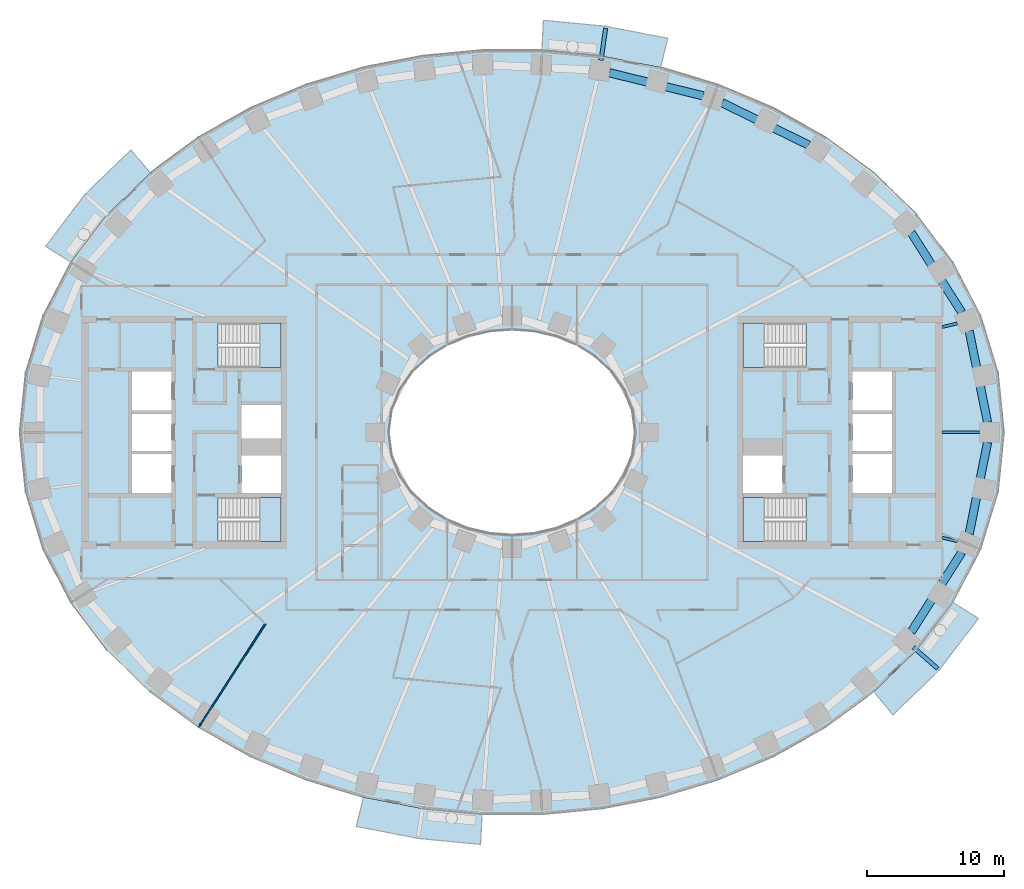
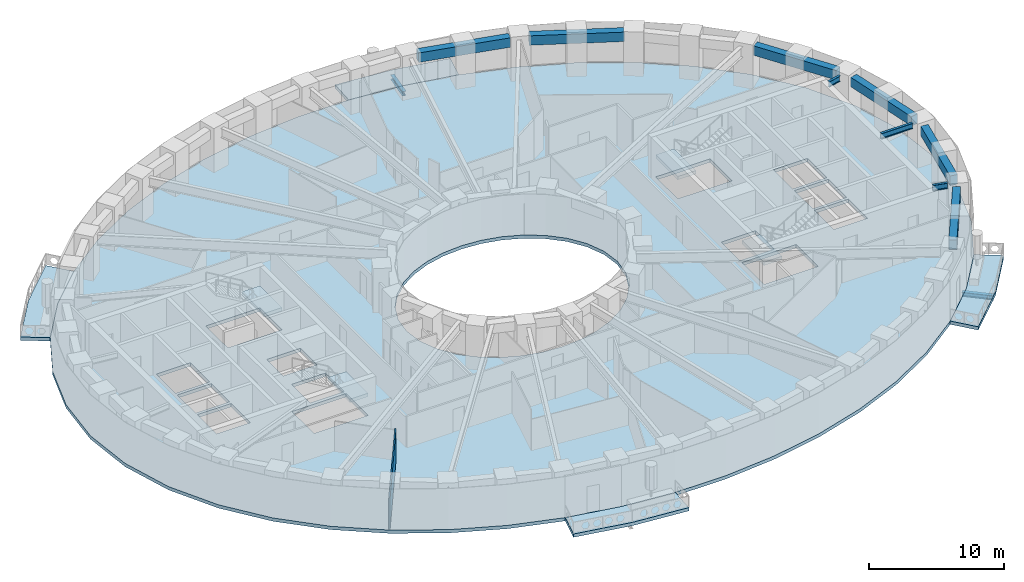
# One storey, part 2 of 16: 11 beams, 9 slabs, 1 wall, 4 elements without a shape of their own.
"""IFC4 building model written with IfcOpenShell, lengths in metres."""

import ifcopenshell
import ifcopenshell.guid

model = None  # the IFC model being written
_history = None  # IfcOwnerHistory: only IFC2X3 demands one
_inside = {}  # id of a spatial element -> (the spatial element, [elements in it])
_under = {}  # id of a project, library or spatial element -> (it, [spatial elements below it])
_declared = {}  # id of a project -> (the project, [libraries it declares])
_typed = {}  # id of a type object -> (the type object, [elements of that type])
_made_of = {}  # id of a material, layer set ... -> (it, [elements and type objects made of it])


def new_model(schema):
    """Start an empty IFC model of exactly this schema.

    Asked for "IFC4X3", IfcOpenShell would pick the latest addendum, in which some entities
    have other attributes; the version numbers below select the first issue.
    IFC2X3 requires an IfcOwnerHistory on every rooted entity: one is made here for all.
    """
    global model, _history
    if schema == "IFC4X3":
        model = ifcopenshell.file(schema_version=(4, 3, 0, 0))
    else:
        model = ifcopenshell.file(schema=schema)
    _inside.clear()
    _under.clear()
    _declared.clear()
    _typed.clear()
    _made_of.clear()
    _history = None
    if model.schema == "IFC2X3":
        org = make("IfcOrganization", Name="unknown")
        user = make(
            "IfcPersonAndOrganization",
            ThePerson=make("IfcPerson", FamilyName="unknown"),
            TheOrganization=org,
        )
        app = make(
            "IfcApplication",
            ApplicationDeveloper=org,
            Version="unknown",
            ApplicationFullName="unknown",
            ApplicationIdentifier="unknown",
        )
        _history = make(
            "IfcOwnerHistory",
            OwningUser=user,
            OwningApplication=app,
            ChangeAction="ADDED",
            CreationDate=0,
        )
    return model


def make(cls, **values):
    """One entity of the class cls with the attributes given. An attribute that is None is left unset."""
    return model.create_entity(
        cls, **{name: value for name, value in values.items() if value is not None}
    )


def rooted(cls, **values):
    """An entity with a GlobalId (a new one), such as an element, a storey or a relation."""
    return make(cls, GlobalId=ifcopenshell.guid.new(), OwnerHistory=_history, **values)


def si_unit(unit_type, name, prefix=None):
    """IfcSIUnit, for example si_unit("LENGTHUNIT", "METRE", prefix="MILLI")."""
    return make("IfcSIUnit", UnitType=unit_type, Prefix=prefix, Name=name)


def assignment(units):
    """IfcUnitAssignment: the units of a project."""
    return None if units is None else make("IfcUnitAssignment", Units=units)


def point(xyz):
    """IfcCartesianPoint."""
    return None if xyz is None else make("IfcCartesianPoint", Coordinates=xyz)


def direction(xyz):
    """IfcDirection."""
    return None if xyz is None else make("IfcDirection", DirectionRatios=xyz)


def frame(location, z_axis=None, x_axis=None):
    """IfcAxis2Placement3D, a coordinate frame: its origin and axes. An axis left out is left unset."""
    return make(
        "IfcAxis2Placement3D",
        Location=point(location),
        Axis=direction(z_axis),
        RefDirection=direction(x_axis),
    )


def frame_2d(location, x_axis=None):
    """IfcAxis2Placement2D, a coordinate frame in the plane: its origin and x axis."""
    return make(
        "IfcAxis2Placement2D", Location=point(location), RefDirection=direction(x_axis)
    )


def origin():
    """The frame at (0, 0, 0) with its axes left unset."""
    return frame((0.0, 0.0, 0.0))


def origin_2d():
    """The frame at (0, 0) in the plane with its x axis left unset."""
    return frame_2d((0.0, 0.0))


def place(relative_to, where):
    """IfcLocalPlacement: puts the frame where relative to a parent placement (None: the world)."""
    return make(
        "IfcLocalPlacement", PlacementRelTo=relative_to, RelativePlacement=where
    )


def context(
    kind, dimensions, precision=None, world=None, true_north=None, identifier=None
):
    """IfcGeometricRepresentationContext, for example the 3D "Model" context."""
    return make(
        "IfcGeometricRepresentationContext",
        ContextIdentifier=identifier,
        ContextType=kind,
        CoordinateSpaceDimension=dimensions,
        Precision=precision,
        WorldCoordinateSystem=world,
        TrueNorth=true_north,
    )


def subcontext(parent, identifier, kind, view, scale=None):
    """IfcGeometricRepresentationSubContext, for example "Body" below "Model"."""
    return make(
        "IfcGeometricRepresentationSubContext",
        ContextIdentifier=identifier,
        ContextType=kind,
        ParentContext=parent,
        TargetScale=scale,
        TargetView=view,
    )


def project(units=None, contexts=None):
    """IfcProject with its units and contexts."""
    return rooted(
        "IfcProject",
        Name="project",
        RepresentationContexts=contexts,
        UnitsInContext=assignment(units),
    )


def spatial(cls, under=None, at=None, **own):
    """A site, building, storey or space (cls), placed at a placement, below another one or the project."""
    s = rooted(cls, ObjectPlacement=at, **own)
    if under is not None:
        _under.setdefault(under.id(), (under, []))[1].append(s)
    return s


def polyline(points):
    """IfcPolyline through the points."""
    return make("IfcPolyline", Points=[point(p) for p in points])


def profile(cls, at=None, kind="AREA", **sizes):
    """A parametric profile (cls). Its sizes go by their IFC names, for example OverallWidth=200.0."""
    return make(cls, ProfileType=kind, Position=at, **sizes)


def rectangle(**sizes):
    """IfcRectangleProfileDef."""
    return profile("IfcRectangleProfileDef", **sizes)


def i_section(**sizes):
    """IfcIShapeProfileDef."""
    return profile("IfcIShapeProfileDef", **sizes)


def outline(outer, holes=None, kind="AREA"):
    """IfcArbitraryClosedProfileDef: a profile drawn as a closed curve; with holes, ...WithVoids."""
    if holes is None:
        return make("IfcArbitraryClosedProfileDef", ProfileType=kind, OuterCurve=outer)
    return make(
        "IfcArbitraryProfileDefWithVoids",
        ProfileType=kind,
        OuterCurve=outer,
        InnerCurves=holes,
    )


def extrude(swept, where, along, depth):
    """IfcExtrudedAreaSolid: the profile swept, set in the frame where, extruded along a direction by depth."""
    return make(
        "IfcExtrudedAreaSolid",
        SweptArea=swept,
        Position=where,
        ExtrudedDirection=direction(along),
        Depth=depth,
    )


def shape(context_of_items, identifier, shape_type, items):
    """IfcShapeRepresentation: the items that make up one representation, for example the "Body"."""
    return make(
        "IfcShapeRepresentation",
        ContextOfItems=context_of_items,
        RepresentationIdentifier=identifier,
        RepresentationType=shape_type,
        Items=items,
    )


def material(Name=None, Category=None):
    """IfcMaterial."""
    return make("IfcMaterial", Name=Name, Category=Category)


def layer(
    of_material, thickness, ventilated=None, Name=None, Category=None, Priority=None
):
    """IfcMaterialLayer: one layer of a wall or slab, of a material (None: an air gap)."""
    return make(
        "IfcMaterialLayer",
        Material=of_material,
        LayerThickness=thickness,
        IsVentilated=ventilated,
        Name=Name,
        Category=Category,
        Priority=Priority,
    )


def layer_set(layers, Name=None):
    """IfcMaterialLayerSet."""
    return make("IfcMaterialLayerSet", MaterialLayers=layers, LayerSetName=Name)


def material_profile(
    of_material, cross_section, Name=None, Category=None, Priority=None
):
    """IfcMaterialProfile: a cross section and its material."""
    return make(
        "IfcMaterialProfile",
        Name=Name,
        Material=of_material,
        Profile=cross_section,
        Priority=Priority,
        Category=Category,
    )


def profile_set(profiles, Name=None, composite=None):
    """IfcMaterialProfileSet."""
    return make(
        "IfcMaterialProfileSet",
        Name=Name,
        MaterialProfiles=profiles,
        CompositeProfile=composite,
    )


def made_of(thing, what):
    """Note that an element or type object is made of a material, layer set ...; save() writes the relation."""
    if what is not None:
        _made_of.setdefault(what.id(), (what, []))[1].append(thing)
    return thing


def type_object(cls, material=None, **own):
    """A type object (cls), such as IfcWallType, which elements share."""
    return made_of(rooted(cls, **own), material)


def element(
    cls,
    number,
    at=None,
    inside=None,
    cuts=None,
    type_object=None,
    material=None,
    context=None,
    identifier="Body",
    shape_type=None,
    held_by="IfcProductDefinitionShape",
    body=None,
    shapes=None,
    **own,
):
    """One element of the class cls, such as IfcWall. Its Tag is "e" and its number.

    at: its placement. inside: the storey or other place that contains it. cuts: it is an
    opening in that element (IfcRelVoidsElement). A single representation is given by context,
    identifier, shape_type and body (its items); several are given by shapes. held_by: the class
    of the entity that holds the representations. save() writes the other relations.
    """
    e = rooted(cls, Tag="e%d" % number, ObjectPlacement=at, **own)
    if body is not None:
        shapes = [shape(context, identifier, shape_type, body)]
    if shapes is not None:
        e.Representation = make(held_by, Representations=shapes)
    if inside is not None:
        _inside.setdefault(inside.id(), (inside, []))[1].append(e)
    if cuts is not None:
        rooted(
            "IfcRelVoidsElement", RelatingBuildingElement=cuts, RelatedOpeningElement=e
        )
    if type_object is not None:
        _typed.setdefault(type_object.id(), (type_object, []))[1].append(e)
    return made_of(e, material)


def aggregate(whole, parts):
    """IfcRelAggregates: a whole, such as a stair, and the parts it consists of."""
    return rooted("IfcRelAggregates", RelatingObject=whole, RelatedObjects=parts)


def save(model, path):
    """Write the relations noted so far, then the file.

    IfcRelAggregates (storeys below a building ...), IfcRelContainedInSpatialStructure (elements
    in a storey), IfcRelDefinesByType, IfcRelAssociatesMaterial and IfcRelDeclares: one each for
    every whole, place, type object, material and project.
    """
    for whole, parts in _under.values():
        aggregate(whole, parts)
    for where, things in _inside.values():
        rooted(
            "IfcRelContainedInSpatialStructure",
            RelatedElements=things,
            RelatingStructure=where,
        )
    for kind, things in _typed.values():
        rooted("IfcRelDefinesByType", RelatedObjects=things, RelatingType=kind)
    for what, things in _made_of.values():
        rooted("IfcRelAssociatesMaterial", RelatedObjects=things, RelatingMaterial=what)
    for by, libraries in _declared.values():
        rooted("IfcRelDeclares", RelatingContext=by, RelatedDefinitions=libraries)
    model.write(path)


model = new_model("IFC4")

# Units and contexts
model_context = context("Model", 3, precision=1e-05, world=origin(), true_north=direction((0.0, 1.0)))
body_context = subcontext(model_context, "Body", "Model", "MODEL_VIEW")
ifc_project = project(units=[si_unit("LENGTHUNIT", "METRE"), si_unit("AREAUNIT", "SQUARE_METRE"), si_unit("VOLUMEUNIT", "CUBIC_METRE"), si_unit("PLANEANGLEUNIT", "RADIAN"), si_unit("MASSUNIT", "GRAM", prefix="KILO")], contexts=[model_context])

# Site, building, storey
site_placement = place(None, origin())
site = spatial("IfcSite", under=ifc_project, at=site_placement, CompositionType="ELEMENT")
building_placement = place(site_placement, origin())
building = spatial("IfcBuilding", under=site, at=building_placement, Name="Noorbagh Ring Tower", CompositionType="ELEMENT")
storey_placement = place(building_placement, frame((0.0, 0.0, 46.5)))
storey = spatial("IfcBuildingStorey", under=building, at=storey_placement, Name="L09", CompositionType="ELEMENT", Elevation=46.5)

# Beams
ifc_material_1 = material(Name="Steel S355", Category="steel")
ifc_material_profile_1 = material_profile(ifc_material_1, i_section(OverallWidth=0.300048828125, OverallDepth=0.39990234375, WebThickness=0.013427734375, FlangeThickness=0.02392578125, FilletRadius=0.027099609375, at=origin_2d()), Name="HEB400")
ifc_profile_set_1 = profile_set([ifc_material_profile_1], Name="Steel S355")
beam_type_1 = type_object("IfcBeamType", Name="STR-BALCONY-BRACKET-HEB400", PredefinedType="BEAM", material=ifc_profile_set_1)
beam_1_placement = place(storey_placement, frame((6.513671875, 27.21337890625, -0.5), z_axis=(0.143062628068, 0.989713637599, 0.0), x_axis=(-0.989713637599, 0.143062628068, 0.0)))
element("IfcBeam", 1, at=beam_1_placement, inside=storey, type_object=beam_type_1, Name="Balcony bracket beam BN03", PredefinedType="BEAM", context=body_context, shape_type="SweptSolid", body=[
    extrude(i_section(OverallWidth=0.300048828125, OverallDepth=0.39990234375, WebThickness=0.013427734375, FlangeThickness=0.02392578125, FilletRadius=0.027099609375, at=origin_2d()), origin(), (0.0, 0.0, 1.0), 2.373779296875),
])
beam_2_placement = place(storey_placement, frame((29.36572265625, -15.714111328125, -0.5), z_axis=(0.749031813993, -0.662534030542, 0.0), x_axis=(0.662534030542, 0.749031813993, 0.0)))
element("IfcBeam", 2, at=beam_2_placement, inside=storey, type_object=beam_type_1, Name="Balcony bracket beam BS06", PredefinedType="BEAM", context=body_context, shape_type="SweptSolid", body=[
    extrude(i_section(OverallWidth=0.300048828125, OverallDepth=0.39990234375, WebThickness=0.013427734375, FlangeThickness=0.02392578125, FilletRadius=0.027099609375, at=origin_2d()), origin(), (0.0, 0.0, 1.0), 2.37939453125),
])
ifc_material_2 = material(Name="Steel S355", Category="steel")
ifc_material_profile_2 = material_profile(ifc_material_2, i_section(OverallWidth=0.199951171875, OverallDepth=0.5, WebThickness=0.01025390625, FlangeThickness=0.01611328125, FilletRadius=0.02099609375, at=origin_2d()), Name="IPE500")
ifc_profile_set_2 = profile_set([ifc_material_profile_2], Name="Steel S355")
beam_type_2 = type_object("IfcBeamType", Name="STR-RAD-IPE500", PredefinedType="BEAM", material=ifc_profile_set_2)
beam_3_placement = place(storey_placement, frame((34.214599609375, 0.0, 3.449951171875), z_axis=(-1.0, 0.0, 0.0), x_axis=(0.0, -1.0, 0.0)))
element("IfcBeam", 3, at=beam_3_placement, inside=storey, type_object=beam_type_2, Name="L09/bm/RD01", PredefinedType="BEAM", context=body_context, shape_type="SweptSolid", body=[
    extrude(i_section(OverallWidth=0.199951171875, OverallDepth=0.5, WebThickness=0.01025390625, FlangeThickness=0.01611328125, FilletRadius=0.02099609375, at=origin_2d()), origin(), (0.0, 0.0, 1.0), 2.734619140625),
])
for number, where, z_axis, x_axis, name in (
    (4, (32.587890625, 7.973876953125, 3.449951171875), (-0.971339703518, -0.237695562369, 0.0), (0.237695562369, -0.971339703518, 0.0), "L09/bm/RD03"),
    (5, (32.587890625, -7.973876953125, 3.449951171875), (-0.971339703518, 0.237695562369, 0.0), (-0.237695562369, -0.971339703518, 0.0), "L09/bm/RD45"),
):
    element("IfcBeam", number, at=place(storey_placement, frame(where, z_axis=z_axis, x_axis=x_axis)), inside=storey, type_object=beam_type_2, Name=name, PredefinedType="BEAM", context=body_context, shape_type="SweptSolid", body=[
        extrude(i_section(OverallWidth=0.199951171875, OverallDepth=0.5, WebThickness=0.01025390625, FlangeThickness=0.01611328125, FilletRadius=0.02099609375, at=origin_2d()), origin(), (0.0, 0.0, 1.0), 1.14013671875),
    ])
ifc_material_3 = material(Name="Concrete C40/50", Category="concrete")
ifc_material_profile_3 = material_profile(ifc_material_3, rectangle(XDim=0.60009765625, YDim=0.85009765625, at=origin_2d()), Name="RC600x850")
ifc_profile_set_3 = profile_set([ifc_material_profile_3], Name="Concrete C40/50")
beam_type_3 = type_object("IfcBeamType", Name="STR-SB-RC600x850-C40-50", PredefinedType="BEAM", material=ifc_profile_set_3)
beam_4_placement = place(storey_placement, frame((34.7978515625, 0.73046875, 3.27490234375), z_axis=(-0.197244389947, 0.980354349526, 0.0), x_axis=(-0.980354349526, -0.197244389947, 0.0)))
element("IfcBeam", 6, at=beam_4_placement, inside=storey, type_object=beam_type_3, Name="L09/bm/SP01", PredefinedType="BEAM", context=body_context, shape_type="SweptSolid", body=[
    extrude(rectangle(XDim=0.60009765625, YDim=0.85009765625, at=origin_2d()), origin(), (0.0, 0.0, 1.0), 6.82373046875),
])
beam_5_placement = place(storey_placement, frame((32.908203125, 8.77587890625, 3.27490234375), z_axis=(-0.535194304559, 0.844728983975, 0.0), x_axis=(-0.844728983975, -0.535194304559, 0.0)))
element("IfcBeam", 7, at=beam_5_placement, inside=storey, type_object=beam_type_3, Name="L09/bm/SP03", PredefinedType="BEAM", context=body_context, shape_type="SweptSolid", body=[
    extrude(rectangle(XDim=0.60009765625, YDim=0.85009765625, at=origin_2d()), origin(), (0.0, 0.0, 1.0), 6.9013671875),
])
beam_6_placement = place(storey_placement, frame((21.701416015625, 21.02294921875, 3.27490234375), z_axis=(-0.898409265653, 0.439159186843, 0.0), x_axis=(-0.439159186843, -0.898409265653, 0.0)))
element("IfcBeam", 8, at=beam_6_placement, inside=storey, type_object=beam_type_3, Name="L09/bm/SP07", PredefinedType="BEAM", context=body_context, shape_type="SweptSolid", body=[
    extrude(rectangle(XDim=0.60009765625, YDim=0.85009765625, at=origin_2d()), origin(), (0.0, 0.0, 1.0), 7.048095703125),
])
beam_7_placement = place(storey_placement, frame((13.996826171875, 24.616943359375, 3.27490234375), z_axis=(-0.970830070282, 0.23976858559, 0.0), x_axis=(-0.23976858559, -0.970830070282, 0.0)))
element("IfcBeam", 9, at=beam_7_placement, inside=storey, type_object=beam_type_3, Name="L09/bm/SP09", PredefinedType="BEAM", context=body_context, shape_type="SweptSolid", body=[
    extrude(rectangle(XDim=0.60009765625, YDim=0.85009765625, at=origin_2d()), origin(), (0.0, 0.0, 1.0), 7.081787109375),
])
beam_8_placement = place(storey_placement, frame((29.214599609375, -14.605712890625, 3.27490234375), z_axis=(0.535194304559, 0.844728983975, 0.0), x_axis=(-0.844728983975, 0.535194304559, 0.0)))
element("IfcBeam", 10, at=beam_8_placement, inside=storey, type_object=beam_type_3, Name="L09/bm/SP43", PredefinedType="BEAM", context=body_context, shape_type="SweptSolid", body=[
    extrude(rectangle(XDim=0.60009765625, YDim=0.85009765625, at=origin_2d()), origin(), (0.0, 0.0, 1.0), 6.9013671875),
])
beam_9_placement = place(storey_placement, frame((33.451904296875, -7.420166015625, 3.27490234375), z_axis=(0.197244389947, 0.980354349526, 0.0), x_axis=(-0.980354349526, 0.197244389947, 0.0)))
element("IfcBeam", 11, at=beam_9_placement, inside=storey, type_object=beam_type_3, Name="L09/bm/SP45", PredefinedType="BEAM", context=body_context, shape_type="SweptSolid", body=[
    extrude(rectangle(XDim=0.60009765625, YDim=0.85009765625, at=origin_2d()), origin(), (0.0, 0.0, 1.0), 6.82373046875),
])

# Stair, slab
ifc_material_4 = material(Name="Concrete C40/50", Category="concrete")
stair_type = type_object("IfcStairType", Name="CORE-STAIR", PredefinedType="HALF_TURN_STAIR", material=ifc_material_4)
stair_1_placement = place(storey_placement, origin())
stair_1 = element("IfcStair", 12, at=stair_1_placement, inside=storey, type_object=stair_type, Name="L09 Exit stair ST1", PredefinedType="HALF_TURN_STAIR")
ifc_material_5 = material(Name="Concrete C40/50", Category="concrete")
ifc_layer_1 = layer(ifc_material_5, 0.300048828125)
ifc_layer_set_1 = layer_set([ifc_layer_1], Name="Concrete C40/50")
slab_type_1 = type_object("IfcSlabType", Name="CORE-STAIR-LANDING", PredefinedType="LANDING", material=ifc_layer_set_1)
slab_1_placement = place(storey_placement, frame((0.0, 0.0, 1.699951171875)))
slab_1 = element("IfcSlab", 13, at=slab_1_placement, type_object=slab_type_1, Name="ST1 landing 1", PredefinedType="LANDING", context=body_context, shape_type="SweptSolid", body=[
    extrude(outline(polyline([(-18.449951171875, 4.75), (-16.89990234375, 4.75), (-16.89990234375, 8.0), (-18.449951171875, 8.0), (-18.449951171875, 4.75)])), origin(), (0.0, 0.0, 1.0), 0.300048828125),
])
aggregate(stair_1, [slab_1])

stair_2_placement = place(storey_placement, origin())
stair_2 = element("IfcStair", 14, at=stair_2_placement, inside=storey, type_object=stair_type, Name="L09 Exit stair ST2", PredefinedType="HALF_TURN_STAIR")
slab_2_placement = place(storey_placement, frame((0.0, 0.0, 1.699951171875)))
slab_2 = element("IfcSlab", 15, at=slab_2_placement, type_object=slab_type_1, Name="ST2 landing 1", PredefinedType="LANDING", context=body_context, shape_type="SweptSolid", body=[
    extrude(outline(polyline([(-18.449951171875, -8.0), (-16.89990234375, -8.0), (-16.89990234375, -4.75), (-18.449951171875, -4.75), (-18.449951171875, -8.0)])), origin(), (0.0, 0.0, 1.0), 0.300048828125),
])
aggregate(stair_2, [slab_2])

stair_3_placement = place(storey_placement, origin())
stair_3 = element("IfcStair", 16, at=stair_3_placement, inside=storey, type_object=stair_type, Name="L09 Exit stair ST3", PredefinedType="HALF_TURN_STAIR")
slab_3_placement = place(storey_placement, frame((0.0, 0.0, 1.699951171875)))
slab_3 = element("IfcSlab", 17, at=slab_3_placement, type_object=slab_type_1, Name="ST3 landing 1", PredefinedType="LANDING", context=body_context, shape_type="SweptSolid", body=[
    extrude(outline(polyline([(18.449951171875, 8.0), (16.89990234375, 8.0), (16.89990234375, 4.75), (18.449951171875, 4.75), (18.449951171875, 8.0)])), origin(), (0.0, 0.0, 1.0), 0.300048828125),
])
aggregate(stair_3, [slab_3])

stair_4_placement = place(storey_placement, origin())
stair_4 = element("IfcStair", 18, at=stair_4_placement, inside=storey, type_object=stair_type, Name="L09 Exit stair ST4", PredefinedType="HALF_TURN_STAIR")
slab_4_placement = place(storey_placement, frame((0.0, 0.0, 1.699951171875)))
slab_4 = element("IfcSlab", 19, at=slab_4_placement, type_object=slab_type_1, Name="ST4 landing 1", PredefinedType="LANDING", context=body_context, shape_type="SweptSolid", body=[
    extrude(outline(polyline([(18.449951171875, -4.75), (16.89990234375, -4.75), (16.89990234375, -8.0), (18.449951171875, -8.0), (18.449951171875, -4.75)])), origin(), (0.0, 0.0, 1.0), 0.300048828125),
])
aggregate(stair_4, [slab_4])

# Slabs
ifc_material_6 = material(Name="Concrete C40/50", Category="concrete")
ifc_layer_2 = layer(ifc_material_6, 0.300048828125)
ifc_layer_set_2 = layer_set([ifc_layer_2], Name="Concrete C40/50")
slab_type_2 = type_object("IfcSlabType", Name="ENV-BALCONY DECK 300", PredefinedType="FLOOR", material=ifc_layer_set_2)
slab_5_placement = place(storey_placement, frame((0.0, 0.0, -0.300048828125)))
element("IfcSlab", 20, at=slab_5_placement, inside=storey, type_object=slab_type_2, Name="Tree balcony deck BN03", PredefinedType="FLOOR", context=body_context, shape_type="SweptSolid", body=[
    extrude(outline(polyline([(11.3935546875, 28.832763671875), (6.874755859375, 29.711181640625), (2.2978515625, 30.14794921875), (2.193115234375, 27.947998046875), (6.5595703125, 27.53125), (10.865234375, 26.6943359375), (11.3935546875, 28.832763671875)])), origin(), (0.0, 0.0, 1.0), 0.300048828125),
])
slab_6_placement = place(storey_placement, frame((0.0, 0.0, -0.300048828125)))
element("IfcSlab", 21, at=slab_6_placement, inside=storey, type_object=slab_type_2, Name="Tree balcony deck BN06", PredefinedType="FLOOR", context=body_context, shape_type="SweptSolid", body=[
    extrude(outline(polyline([(-27.888671875, 20.665771484375), (-31.26025390625, 17.389892578125), (-34.120361328125, 13.615966796875), (-32.255126953125, 12.434814453125), (-29.607666015625, 15.92822265625), (-26.463134765625, 18.983154296875), (-27.888671875, 20.665771484375)])), origin(), (0.0, 0.0, 1.0), 0.300048828125),
])
slab_7_placement = place(storey_placement, frame((0.0, 0.0, -0.300048828125)))
element("IfcSlab", 22, at=slab_7_placement, inside=storey, type_object=slab_type_2, Name="Tree balcony deck BS03", PredefinedType="FLOOR", context=body_context, shape_type="SweptSolid", body=[
    extrude(outline(polyline([(-11.3935546875, -28.832763671875), (-6.874755859375, -29.711181640625), (-2.2978515625, -30.14794921875), (-2.193115234375, -27.947998046875), (-6.5595703125, -27.53125), (-10.865234375, -26.6943359375), (-11.3935546875, -28.832763671875)])), origin(), (0.0, 0.0, 1.0), 0.300048828125),
])
slab_8_placement = place(storey_placement, frame((0.0, 0.0, -0.300048828125)))
element("IfcSlab", 23, at=slab_8_placement, inside=storey, type_object=slab_type_2, Name="Tree balcony deck BS06", PredefinedType="FLOOR", context=body_context, shape_type="SweptSolid", body=[
    extrude(outline(polyline([(27.888671875, -20.665771484375), (31.26025390625, -17.389892578125), (34.120361328125, -13.615966796875), (32.255126953125, -12.434814453125), (29.607666015625, -15.92822265625), (26.463134765625, -18.983154296875), (27.888671875, -20.665771484375)])), origin(), (0.0, 0.0, 1.0), 0.300048828125),
])
ifc_material_7 = material(Name="Concrete C40/50", Category="concrete")
ifc_layer_3 = layer(ifc_material_7, 0.300048828125)
ifc_layer_set_3 = layer_set([ifc_layer_3], Name="Concrete C40/50")
slab_type_3 = type_object("IfcSlabType", Name="STR-FLOOR-DECK-300", PredefinedType="FLOOR", material=ifc_layer_set_3)
slab_9_placement = place(storey_placement, frame((0.0, 0.0, -0.300048828125)))
element("IfcSlab", 24, at=slab_9_placement, inside=storey, type_object=slab_type_3, Name="L09/slab/1", PredefinedType="FLOOR", context=body_context, shape_type="SweptSolid", body=[
    extrude(outline(polyline([(36.0, 0.0), (35.56103515625, 4.358642578125), (34.281005859375, 8.548828125), (32.255126953125, 12.434814453125), (29.607666015625, 15.92822265625), (26.463134765625, 18.983154296875), (22.9326171875, 21.583740234375), (19.108154296875, 23.730224609375), (15.0654296875, 25.430419921875), (10.865234375, 26.6943359375), (6.5595703125, 27.53125), (2.193115234375, 27.947998046875), (-2.193115234375, 27.947998046875), (-6.5595703125, 27.53125), (-10.865234375, 26.6943359375), (-15.0654296875, 25.430419921875), (-19.108154296875, 23.730224609375), (-22.9326171875, 21.583740234375), (-26.463134765625, 18.983154296875), (-29.607666015625, 15.92822265625), (-32.255126953125, 12.434814453125), (-34.281005859375, 8.548828125), (-35.56103515625, 4.358642578125), (-36.0, 0.0), (-35.56103515625, -4.358642578125), (-34.281005859375, -8.548828125), (-32.255126953125, -12.434814453125), (-29.607666015625, -15.92822265625), (-26.463134765625, -18.983154296875), (-22.9326171875, -21.583740234375), (-19.108154296875, -23.730224609375), (-15.0654296875, -25.430419921875), (-10.865234375, -26.6943359375), (-6.5595703125, -27.53125), (-2.193115234375, -27.947998046875), (2.193115234375, -27.947998046875), (6.5595703125, -27.53125), (10.865234375, -26.6943359375), (15.0654296875, -25.430419921875), (19.108154296875, -23.730224609375), (22.9326171875, -21.583740234375), (26.463134765625, -18.983154296875), (29.607666015625, -15.92822265625), (32.255126953125, -12.434814453125), (34.281005859375, -8.548828125), (35.56103515625, -4.358642578125), (36.0, 0.0)]), holes=[polyline([(24.89990234375, -1.60009765625), (27.800048828125, -1.60009765625), (27.800048828125, -4.449951171875), (24.89990234375, -4.449951171875), (24.89990234375, -1.60009765625)]), polyline([(24.89990234375, 1.35009765625), (27.800048828125, 1.35009765625), (27.800048828125, -1.35009765625), (24.89990234375, -1.35009765625), (24.89990234375, 1.35009765625)]), polyline([(24.89990234375, 4.449951171875), (27.800048828125, 4.449951171875), (27.800048828125, 1.60009765625), (24.89990234375, 1.60009765625), (24.89990234375, 4.449951171875)]), polyline([(21.529541015625, -4.75), (21.529541015625, -8.0), (16.89990234375, -8.0), (16.89990234375, -4.75), (21.529541015625, -4.75)]), polyline([(21.529541015625, 4.75), (16.89990234375, 4.75), (16.89990234375, 8.0), (21.529541015625, 8.0), (21.529541015625, 4.75)]), polyline([(16.89990234375, -1.699951171875), (19.800048828125, -1.699951171875), (19.800048828125, -4.449951171875), (16.89990234375, -4.449951171875), (16.89990234375, -1.699951171875)]), polyline([(4.697509765625, -6.3974609375), (3.196533203125, -7.010986328125), (1.6171875, -7.3779296875), (0.0, -7.5), (-1.6171875, -7.3779296875), (-3.196533203125, -7.010986328125), (-4.697509765625, -6.3974609375), (-6.071044921875, -5.53662109375), (-7.2587890625, -4.43408203125), (-8.1904296875, -3.10888671875), (-8.79150390625, -1.605224609375), (-9.0, 0.0), (-8.79150390625, 1.605224609375), (-8.1904296875, 3.10888671875), (-7.2587890625, 4.43408203125), (-6.071044921875, 5.53662109375), (-4.697509765625, 6.3974609375), (-3.196533203125, 7.010986328125), (-1.6171875, 7.3779296875), (0.0, 7.5), (1.6171875, 7.3779296875), (3.196533203125, 7.010986328125), (4.697509765625, 6.3974609375), (6.071044921875, 5.53662109375), (7.2587890625, 4.43408203125), (8.1904296875, 3.10888671875), (8.79150390625, 1.605224609375), (9.0, 0.0), (8.79150390625, -1.605224609375), (8.1904296875, -3.10888671875), (7.2587890625, -4.43408203125), (6.071044921875, -5.53662109375), (4.697509765625, -6.3974609375)]), polyline([(-21.529541015625, -8.0), (-21.529541015625, -4.75), (-16.89990234375, -4.75), (-16.89990234375, -8.0), (-21.529541015625, -8.0)]), polyline([(-21.529541015625, 8.0), (-16.89990234375, 8.0), (-16.89990234375, 4.75), (-21.529541015625, 4.75), (-21.529541015625, 8.0)]), polyline([(-16.89990234375, -4.449951171875), (-19.800048828125, -4.449951171875), (-19.800048828125, -1.699951171875), (-16.89990234375, -1.699951171875), (-16.89990234375, -4.449951171875)]), polyline([(-16.89990234375, -0.449951171875), (-19.800048828125, -0.449951171875), (-19.800048828125, 2.0), (-16.89990234375, 2.0), (-16.89990234375, -0.449951171875)]), polyline([(-24.89990234375, -4.449951171875), (-27.800048828125, -4.449951171875), (-27.800048828125, -1.60009765625), (-24.89990234375, -1.60009765625), (-24.89990234375, -4.449951171875)]), polyline([(-24.89990234375, -1.35009765625), (-27.800048828125, -1.35009765625), (-27.800048828125, 1.35009765625), (-24.89990234375, 1.35009765625), (-24.89990234375, -1.35009765625)]), polyline([(-24.89990234375, 1.60009765625), (-27.800048828125, 1.60009765625), (-27.800048828125, 4.449951171875), (-24.89990234375, 4.449951171875), (-24.89990234375, 1.60009765625)])]), origin(), (0.0, 0.0, 1.0), 0.300048828125),
])

# Wall
ifc_material_8 = material(Name="Gypsum board on steel studs", Category="steel")
ifc_layer_4 = layer(ifc_material_8, 0.10009765625)
ifc_layer_set_4 = layer_set([ifc_layer_4], Name="Gypsum board on steel studs")
wall_type = type_object("IfcWallType", Name="PARTITION 100 GYPSUM", PredefinedType="PARTITIONING", material=ifc_layer_set_4)
wall_placement = place(storey_placement, frame((-22.905029296875, -21.5419921875, 0.0), z_axis=(0.0, 0.0, 1.0), x_axis=(0.542241597628, 0.840222619192, 0.0)))
element("IfcWall", 25, at=wall_placement, inside=storey, type_object=wall_type, Name="L09/wall/P08", PredefinedType="PARTITIONING", context=body_context, shape_type="SweptSolid", body=[
    extrude(rectangle(XDim=8.966552734375, YDim=0.10009765625, at=frame_2d((4.4833984375, 0.0))), origin(), (0.0, 0.0, 1.0), 2.85009765625),
])

save(model, "model.ifc")
